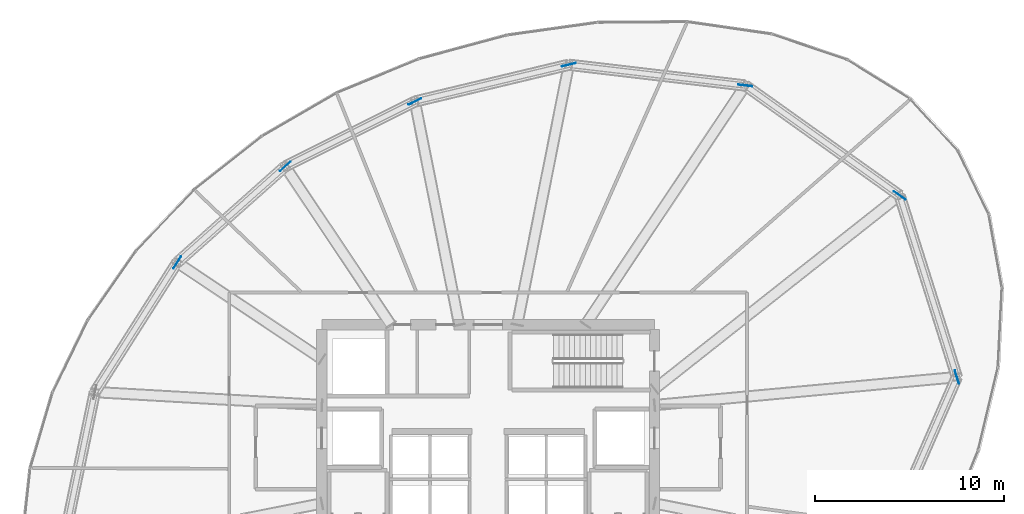
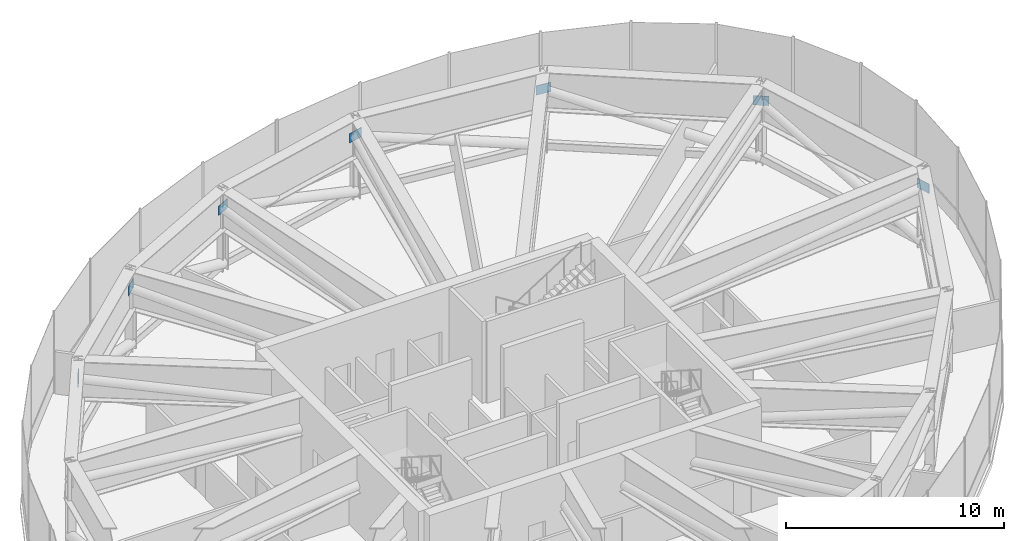
# One storey, part 26 of 30: 7 plates.
"""IFC4 building model written with IfcOpenShell, lengths in metres."""

from ifc_helpers import new_model, si_unit, direction, frame, origin, origin_2d, place, context, subcontext, project, spatial, rectangle, extrude, source, transform, mapped, material, layer, layer_set, type_object, element, save


model = new_model("IFC4")

# Units and contexts
model_context = context("Model", 3, precision=1e-05, world=origin(), true_north=direction((0.0, 1.0)))
body_context = subcontext(model_context, "Body", "Model", "MODEL_VIEW")
ifc_project = project(units=[si_unit("LENGTHUNIT", "METRE"), si_unit("AREAUNIT", "SQUARE_METRE"), si_unit("VOLUMEUNIT", "CUBIC_METRE"), si_unit("PLANEANGLEUNIT", "RADIAN"), si_unit("MASSUNIT", "GRAM", prefix="KILO"), si_unit("THERMODYNAMICTEMPERATUREUNIT", "KELVIN")], contexts=[model_context])

# Site, building, storey
site_placement = place(None, origin())
site = spatial("IfcSite", under=ifc_project, at=site_placement, CompositionType="ELEMENT")
building_placement = place(site_placement, origin())
building = spatial("IfcBuilding", under=site, at=building_placement, Name="Kethvar Cultural Tower", CompositionType="ELEMENT")
storey_placement = place(building_placement, frame((0.0, 0.0, 171.39990234375)))
storey = spatial("IfcBuildingStorey", under=building, at=storey_placement, Name="L44", CompositionType="ELEMENT", Elevation=171.39990234375)

# Plates
ifc_material = material(Name="Steel S355J2", Category="steel")
ifc_layer = layer(ifc_material, 0.031982421875, Name="Steel S355J2", Category="steel")
ifc_layer_set = layer_set([ifc_layer], Name="Steel S355J2 (32 mm)")
plate_type = type_object("IfcPlateType", Name="PL-GUSSET-750", PredefinedType="USERDEFINED", material=ifc_layer_set)
shared_shape = source(origin(), body_context, "Body", "SweptSolid", [
    extrude(rectangle(XDim=0.75, YDim=0.031982421875, at=origin_2d()), origin(), (0.0, 0.0, 1.0), 0.52001953125),
])
for number, where, z_axis, x_axis, name in (
    (1, (71.6025390625, 32.7333984375, 3.218017578125), (0.0, 0.0, 1.0), (-0.301013609018, 0.953619844165, 0.0), "L44 Belt-Truss Node Gusset Plate GP-01"),
    (2, (68.568603515625, 42.34521484375, 3.218017578125), (0.0, 0.0, 1.0), (-0.814472970301, 0.58020150004, 0.0), "L44 Belt-Truss Node Gusset Plate GP-02"),
    (3, (60.40478515625, 48.160888671875, 3.218017578125), (0.0, 0.0, 1.0), (-0.993151548245, 0.116833223949, 0.0), "L44 Belt-Truss Node Gusset Plate GP-03"),
    (4, (51.068603515625, 49.25927734375, 3.218017578125), (0.0, 0.0, 1.0), (-0.972603006196, -0.232472347471, 0.0), "L44 Belt-Truss Node Gusset Plate GP-04"),
    (5, (42.9189453125, 47.311279296875, 3.218017578125), (0.0, 0.0, 1.0), (-0.894257698111, -0.447552420805, 0.0), "L44 Belt-Truss Node Gusset Plate GP-05"),
    (6, (36.0576171875, 43.877197265625, 3.218017578125), (0.0, 0.0, 1.0), (-0.747018083062, -0.664803718084, 0.0), "L44 Belt-Truss Node Gusset Plate GP-06"),
    (7, (30.345947265625, 38.794189453125, 3.218017578125), (0.0, 0.0, 1.0), (-0.536470737063, -0.843918922809, 0.0), "L44 Belt-Truss Node Gusset Plate GP-07"),
):
    element("IfcPlate", number, at=place(storey_placement, frame(where, z_axis=z_axis, x_axis=x_axis)), inside=storey, type_object=plate_type, Name=name, ObjectType="GUSSET_PLATE", PredefinedType="USERDEFINED", context=body_context, shape_type="MappedRepresentation", body=[
        mapped(shared_shape, transform((0.0, 0.0, 0.0), scale=1.0)),
    ])

save(model, "model.ifc")
